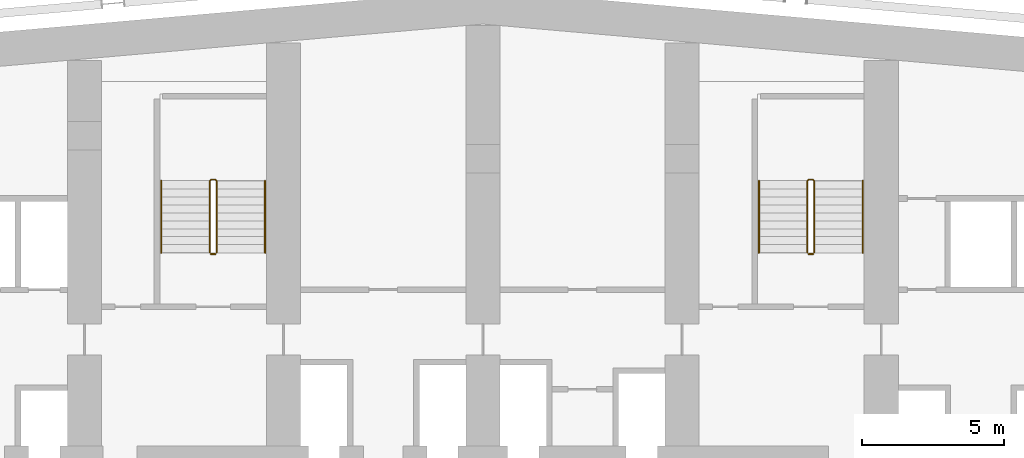
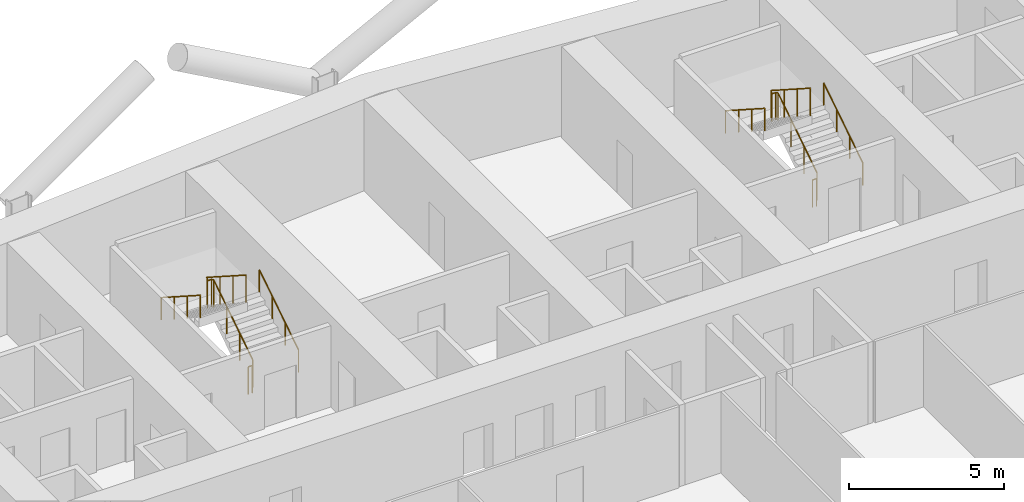
# One storey, part 23 of 24: 8 railings.
"""IFC4 building model written with IfcOpenShell, lengths in metres."""

from ifc_helpers import new_model, si_unit, direction, frame, origin, origin_2d, place, context, subcontext, project, spatial, circle, extrude, material, type_object, element, save


model = new_model("IFC4")

# Units and contexts
model_context = context("Model", 3, precision=1e-05, world=origin(), true_north=direction((0.0, 1.0)))
body_context = subcontext(model_context, "Body", "Model", "MODEL_VIEW")
ifc_project = project(units=[si_unit("LENGTHUNIT", "METRE"), si_unit("AREAUNIT", "SQUARE_METRE"), si_unit("VOLUMEUNIT", "CUBIC_METRE"), si_unit("PLANEANGLEUNIT", "RADIAN"), si_unit("MASSUNIT", "GRAM", prefix="KILO")], contexts=[model_context])

# Site, building, storey
site_placement = place(None, origin())
site = spatial("IfcSite", under=ifc_project, at=site_placement, CompositionType="ELEMENT")
building_placement = place(site_placement, origin())
building = spatial("IfcBuilding", under=site, at=building_placement, Name="Wharfspan Tower", CompositionType="ELEMENT")
storey_placement = place(building_placement, frame((0.0, 0.0, 66.699951)))
storey = spatial("IfcBuildingStorey", under=building, at=storey_placement, Name="L13", CompositionType="ELEMENT", Elevation=66.699951)

# Railings
ifc_material = material(Name="Steel S355J2", Category="steel")
railing_type_1 = type_object("IfcRailingType", Name="Stair guard 1100", PredefinedType="GUARDRAIL", material=ifc_material)
railing_1_placement = place(storey_placement, frame((27.649902, 42.0, 0.179932)))
element("IfcRailing", 1, at=railing_1_placement, inside=storey, type_object=railing_type_1, Name="L13 ST1 stair guard 1", PredefinedType="GUARDRAIL", context=body_context, shape_type="SweptSolid", body=[
    extrude(circle(Radius=0.023926, at=origin_2d()), frame((0.0, 0.0, 1.076172), z_axis=(0.0, 0.841163, 0.540782), x_axis=(-1.0, 0.0, 0.0)), (0.0, 0.0, 1.0), 2.99585),
    extrude(circle(Radius=0.023926, at=origin_2d()), frame((0.0, 2.52002, 2.696289), z_axis=(-0.705376, 0.708834, 0.0), x_axis=(-0.708834, -0.705376, 0.0)), (0.0, 0.0, 1.0), 0.070557),
    extrude(circle(Radius=0.023926, at=origin_2d()), frame((-0.049805, 2.570068, 2.696289), z_axis=(-1.0, 0.0, 0.0), x_axis=(0.0, -1.0, 0.0)), (0.0, 0.0, 1.0), 0.150146),
    extrude(circle(Radius=0.023926, at=origin_2d()), frame((-0.199951, 2.570068, 2.696289), z_axis=(-0.258848, -0.258848, 0.930589), x_axis=(0.707107, -0.707107, 0.0)), (0.0, 0.0, 1.0), 0.193359),
    extrude(circle(Radius=0.023926, at=origin_2d()), frame((-0.25, 2.52002, 2.875977), z_axis=(0.0, -0.841163, 0.540782), x_axis=(1.0, 0.0, 0.0)), (0.0, 0.0, 1.0), 2.99585),
    extrude(circle(Radius=0.020996, at=origin_2d()), origin(), (0.0, 0.0, 1.0), 1.052002),
    extrude(circle(Radius=0.020996, at=origin_2d()), frame((0.0, 0.840088, 0.540039)), (0.0, 0.0, 1.0), 1.052002),
    extrude(circle(Radius=0.020996, at=origin_2d()), frame((0.0, 1.679932, 1.080078)), (0.0, 0.0, 1.0), 1.052002),
    extrude(circle(Radius=0.020996, at=origin_2d()), frame((0.0, 2.52002, 1.620117)), (0.0, 0.0, 1.0), 1.052002),
    extrude(circle(Radius=0.020996, at=origin_2d()), frame((-0.049805, 2.570068, 1.620117)), (0.0, 0.0, 1.0), 1.052002),
    extrude(circle(Radius=0.020996, at=origin_2d()), frame((-0.199951, 2.570068, 1.620117)), (0.0, 0.0, 1.0), 1.052002),
    extrude(circle(Radius=0.020996, at=origin_2d()), frame((-0.25, 2.52002, 1.800049)), (0.0, 0.0, 1.0), 1.052002),
    extrude(circle(Radius=0.020996, at=origin_2d()), frame((-0.25, 1.679932, 2.340088)), (0.0, 0.0, 1.0), 1.052002),
    extrude(circle(Radius=0.020996, at=origin_2d()), frame((-0.25, 0.840088, 2.880127)), (0.0, 0.0, 1.0), 1.052002),
    extrude(circle(Radius=0.020996, at=origin_2d()), frame((-0.25, 0.0, 3.420166)), (0.0, 0.0, 1.0), 1.052002),
])
railing_2_placement = place(storey_placement, frame((27.600098, 41.949951, 0.0)))
element("IfcRailing", 2, at=railing_2_placement, inside=storey, type_object=railing_type_1, Name="L13 ST1 stair guard 2", PredefinedType="GUARDRAIL", context=body_context, shape_type="SweptSolid", body=[
    extrude(circle(Radius=0.023926, at=origin_2d()), frame((0.0, 0.0, 1.076172), z_axis=(-1.0, 0.0, 0.0), x_axis=(0.0, -1.0, 0.0)), (0.0, 0.0, 1.0), 0.150146),
    extrude(circle(Radius=0.020996, at=origin_2d()), origin(), (0.0, 0.0, 1.0), 1.052002),
    extrude(circle(Radius=0.020996, at=origin_2d()), frame((-0.150146, 0.0, 0.0)), (0.0, 0.0, 1.0), 1.052002),
])
railing_3_placement = place(storey_placement, frame((48.649902, 42.0, 0.179932)))
element("IfcRailing", 3, at=railing_3_placement, inside=storey, type_object=railing_type_1, Name="L13 ST2 stair guard 1", PredefinedType="GUARDRAIL", context=body_context, shape_type="SweptSolid", body=[
    extrude(circle(Radius=0.023926, at=origin_2d()), frame((0.0, 0.0, 1.076172), z_axis=(0.0, 0.841163, 0.540782), x_axis=(-1.0, 0.0, 0.0)), (0.0, 0.0, 1.0), 2.99585),
    extrude(circle(Radius=0.023926, at=origin_2d()), frame((0.0, 2.52002, 2.696289), z_axis=(-0.705376, 0.708834, 0.0), x_axis=(-0.708834, -0.705376, 0.0)), (0.0, 0.0, 1.0), 0.070557),
    extrude(circle(Radius=0.023926, at=origin_2d()), frame((-0.049805, 2.570068, 2.696289), z_axis=(-1.0, 0.0, 0.0), x_axis=(0.0, -1.0, 0.0)), (0.0, 0.0, 1.0), 0.150146),
    extrude(circle(Radius=0.023926, at=origin_2d()), frame((-0.199951, 2.570068, 2.696289), z_axis=(-0.258848, -0.258848, 0.930589), x_axis=(0.707107, -0.707107, 0.0)), (0.0, 0.0, 1.0), 0.193359),
    extrude(circle(Radius=0.023926, at=origin_2d()), frame((-0.25, 2.52002, 2.875977), z_axis=(0.0, -0.841163, 0.540782), x_axis=(1.0, 0.0, 0.0)), (0.0, 0.0, 1.0), 2.99585),
    extrude(circle(Radius=0.020996, at=origin_2d()), origin(), (0.0, 0.0, 1.0), 1.052002),
    extrude(circle(Radius=0.020996, at=origin_2d()), frame((0.0, 0.840088, 0.540039)), (0.0, 0.0, 1.0), 1.052002),
    extrude(circle(Radius=0.020996, at=origin_2d()), frame((0.0, 1.679932, 1.080078)), (0.0, 0.0, 1.0), 1.052002),
    extrude(circle(Radius=0.020996, at=origin_2d()), frame((0.0, 2.52002, 1.620117)), (0.0, 0.0, 1.0), 1.052002),
    extrude(circle(Radius=0.020996, at=origin_2d()), frame((-0.049805, 2.570068, 1.620117)), (0.0, 0.0, 1.0), 1.052002),
    extrude(circle(Radius=0.020996, at=origin_2d()), frame((-0.199951, 2.570068, 1.620117)), (0.0, 0.0, 1.0), 1.052002),
    extrude(circle(Radius=0.020996, at=origin_2d()), frame((-0.25, 2.52002, 1.800049)), (0.0, 0.0, 1.0), 1.052002),
    extrude(circle(Radius=0.020996, at=origin_2d()), frame((-0.25, 1.679932, 2.340088)), (0.0, 0.0, 1.0), 1.052002),
    extrude(circle(Radius=0.020996, at=origin_2d()), frame((-0.25, 0.840088, 2.880127)), (0.0, 0.0, 1.0), 1.052002),
    extrude(circle(Radius=0.020996, at=origin_2d()), frame((-0.25, 0.0, 3.420166)), (0.0, 0.0, 1.0), 1.052002),
])
railing_4_placement = place(storey_placement, frame((48.600098, 41.949951, 0.0)))
element("IfcRailing", 4, at=railing_4_placement, inside=storey, type_object=railing_type_1, Name="L13 ST2 stair guard 2", PredefinedType="GUARDRAIL", context=body_context, shape_type="SweptSolid", body=[
    extrude(circle(Radius=0.023926, at=origin_2d()), frame((0.0, 0.0, 1.076172), z_axis=(-1.0, 0.0, 0.0), x_axis=(0.0, -1.0, 0.0)), (0.0, 0.0, 1.0), 0.150146),
    extrude(circle(Radius=0.020996, at=origin_2d()), origin(), (0.0, 0.0, 1.0), 1.052002),
    extrude(circle(Radius=0.020996, at=origin_2d()), frame((-0.150146, 0.0, 0.0)), (0.0, 0.0, 1.0), 1.052002),
])
railing_type_2 = type_object("IfcRailingType", Name="Stair handrail 900", PredefinedType="HANDRAIL", material=ifc_material)
railing_5_placement = place(storey_placement, frame((29.350098, 42.0, 0.179932)))
element("IfcRailing", 5, at=railing_5_placement, inside=storey, type_object=railing_type_2, Name="L13 ST1 stair handrail 1", PredefinedType="HANDRAIL", context=body_context, shape_type="SweptSolid", body=[
    extrude(circle(Radius=0.023926, at=origin_2d()), frame((0.0, 0.0, 0.875977), z_axis=(0.0, 0.841163, 0.540782), x_axis=(-1.0, 0.0, 0.0)), (0.0, 0.0, 1.0), 2.99585),
    extrude(circle(Radius=0.020996, at=origin_2d()), origin(), (0.0, 0.0, 1.0), 0.851807),
    extrude(circle(Radius=0.020996, at=origin_2d()), frame((0.0, 0.840088, 0.540039)), (0.0, 0.0, 1.0), 0.851807),
    extrude(circle(Radius=0.020996, at=origin_2d()), frame((0.0, 1.679932, 1.080078)), (0.0, 0.0, 1.0), 0.851807),
    extrude(circle(Radius=0.020996, at=origin_2d()), frame((0.0, 2.52002, 1.620117)), (0.0, 0.0, 1.0), 0.851807),
])
railing_6_placement = place(storey_placement, frame((25.699951, 44.52002, 1.97998)))
element("IfcRailing", 6, at=railing_6_placement, inside=storey, type_object=railing_type_2, Name="L13 ST1 stair handrail 2", PredefinedType="HANDRAIL", context=body_context, shape_type="SweptSolid", body=[
    extrude(circle(Radius=0.023926, at=origin_2d()), frame((0.0, 0.0, 0.875977), z_axis=(0.0, -0.841163, 0.540782), x_axis=(1.0, 0.0, 0.0)), (0.0, 0.0, 1.0), 2.99585),
    extrude(circle(Radius=0.020996, at=origin_2d()), origin(), (0.0, 0.0, 1.0), 0.851807),
    extrude(circle(Radius=0.020996, at=origin_2d()), frame((0.0, -0.840088, 0.540039)), (0.0, 0.0, 1.0), 0.851807),
    extrude(circle(Radius=0.020996, at=origin_2d()), frame((0.0, -1.679932, 1.080078)), (0.0, 0.0, 1.0), 0.851807),
    extrude(circle(Radius=0.020996, at=origin_2d()), frame((0.0, -2.52002, 1.620117)), (0.0, 0.0, 1.0), 0.851807),
])
railing_7_placement = place(storey_placement, frame((50.350098, 42.0, 0.179932)))
element("IfcRailing", 7, at=railing_7_placement, inside=storey, type_object=railing_type_2, Name="L13 ST2 stair handrail 1", PredefinedType="HANDRAIL", context=body_context, shape_type="SweptSolid", body=[
    extrude(circle(Radius=0.023926, at=origin_2d()), frame((0.0, 0.0, 0.875977), z_axis=(0.0, 0.841163, 0.540782), x_axis=(-1.0, 0.0, 0.0)), (0.0, 0.0, 1.0), 2.99585),
    extrude(circle(Radius=0.020996, at=origin_2d()), origin(), (0.0, 0.0, 1.0), 0.851807),
    extrude(circle(Radius=0.020996, at=origin_2d()), frame((0.0, 0.840088, 0.540039)), (0.0, 0.0, 1.0), 0.851807),
    extrude(circle(Radius=0.020996, at=origin_2d()), frame((0.0, 1.679932, 1.080078)), (0.0, 0.0, 1.0), 0.851807),
    extrude(circle(Radius=0.020996, at=origin_2d()), frame((0.0, 2.52002, 1.620117)), (0.0, 0.0, 1.0), 0.851807),
])
railing_8_placement = place(storey_placement, frame((46.699951, 44.52002, 1.97998)))
element("IfcRailing", 8, at=railing_8_placement, inside=storey, type_object=railing_type_2, Name="L13 ST2 stair handrail 2", PredefinedType="HANDRAIL", context=body_context, shape_type="SweptSolid", body=[
    extrude(circle(Radius=0.023926, at=origin_2d()), frame((0.0, 0.0, 0.875977), z_axis=(0.0, -0.841163, 0.540782), x_axis=(1.0, 0.0, 0.0)), (0.0, 0.0, 1.0), 2.99585),
    extrude(circle(Radius=0.020996, at=origin_2d()), origin(), (0.0, 0.0, 1.0), 0.851807),
    extrude(circle(Radius=0.020996, at=origin_2d()), frame((0.0, -0.840088, 0.540039)), (0.0, 0.0, 1.0), 0.851807),
    extrude(circle(Radius=0.020996, at=origin_2d()), frame((0.0, -1.679932, 1.080078)), (0.0, 0.0, 1.0), 0.851807),
    extrude(circle(Radius=0.020996, at=origin_2d()), frame((0.0, -2.52002, 1.620117)), (0.0, 0.0, 1.0), 0.851807),
])

save(model, "model.ifc")
